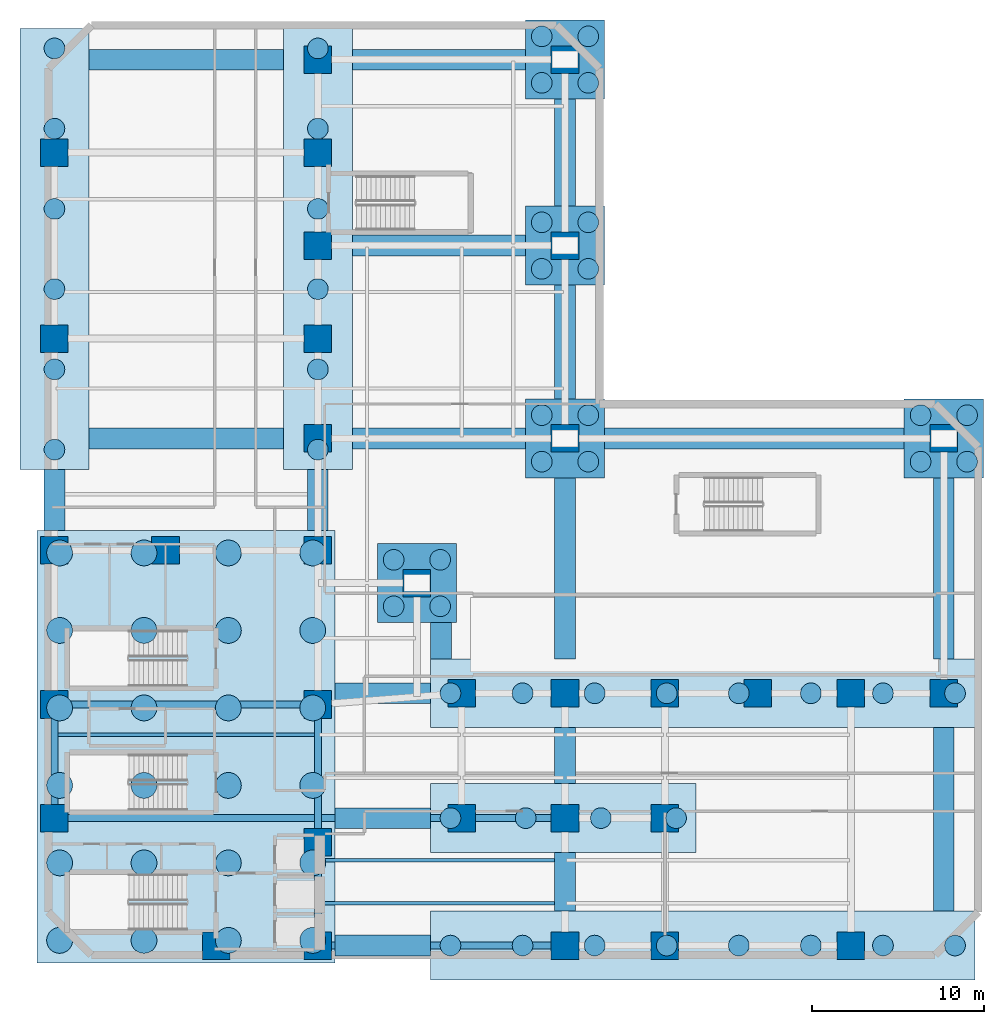
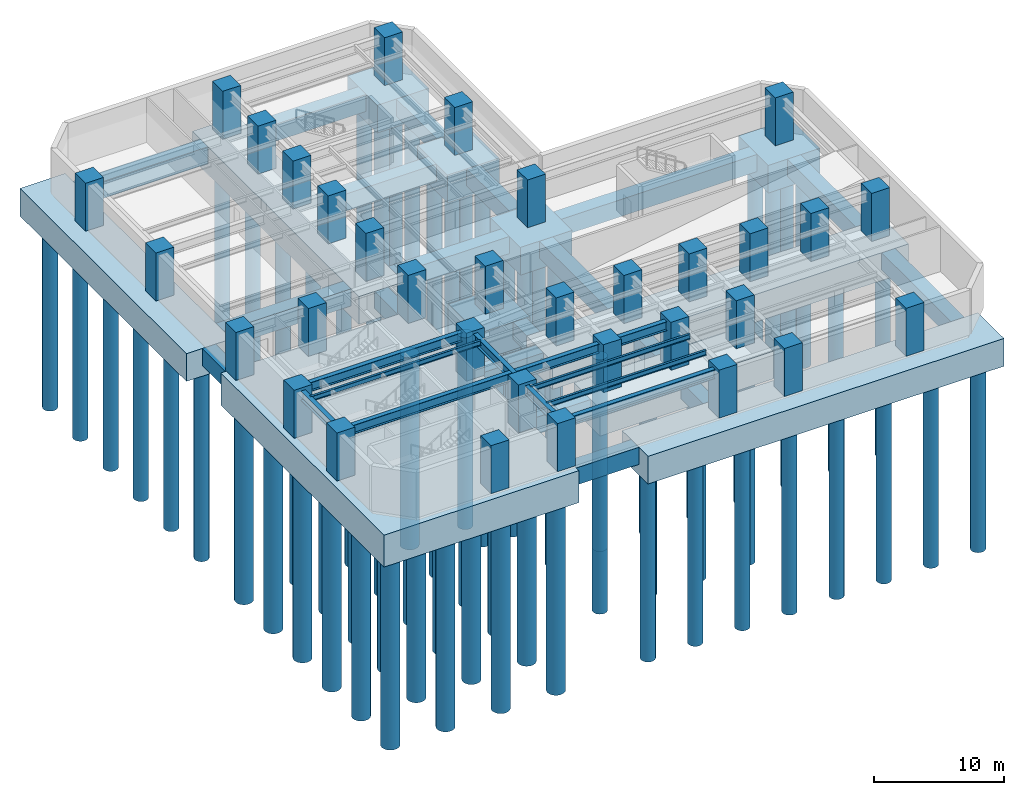
# One storey, part 1 of 10: 76 piles, 33 columns, 30 footings, 10 beams.
"""IFC4 building model written with IfcOpenShell, lengths in metres."""

from ifc_helpers import new_model, si_unit, direction, frame, origin, origin_2d, place, context, subcontext, project, spatial, rectangle, circle, i_section, extrude, material, layer, layer_set, material_profile, profile_set, type_object, element, save


model = new_model("IFC4")

# Units and contexts
model_context = context("Model", 3, precision=1e-05, world=origin(), true_north=direction((0.0, 1.0)))
body_context = subcontext(model_context, "Body", "Model", "MODEL_VIEW")
ifc_project = project(units=[si_unit("LENGTHUNIT", "METRE"), si_unit("AREAUNIT", "SQUARE_METRE"), si_unit("VOLUMEUNIT", "CUBIC_METRE"), si_unit("PLANEANGLEUNIT", "RADIAN"), si_unit("MASSUNIT", "GRAM", prefix="KILO")], contexts=[model_context])

# Site, building, storey
site_placement = place(None, origin())
site = spatial("IfcSite", under=ifc_project, at=site_placement, CompositionType="ELEMENT")
building_placement = place(site_placement, origin())
building = spatial("IfcBuilding", under=site, at=building_placement, Name="Mawjaban Terraces University", CompositionType="ELEMENT")
storey_placement = place(building_placement, frame((0.0, 0.0, -9.0)))
storey = spatial("IfcBuildingStorey", under=building, at=storey_placement, Name="B2", CompositionType="ELEMENT", Elevation=-9.0)

# Piles
ifc_material_1 = material(Name="Concrete C50/60", Category="concrete")
ifc_material_profile_1 = material_profile(ifc_material_1, circle(Radius=0.60009765625, at=origin_2d()), Name="PILE1200")
ifc_profile_set_1 = profile_set([ifc_material_profile_1], Name="Concrete C50/60")
pile_type_1 = type_object("IfcPileType", Name="BoredPile_1200", PredefinedType="BORED", material=ifc_profile_set_1)
for number, where, z_axis, x_axis, name in (
    (1, (45.35009765625, 0.550048828125, -2.89990234375), (0.0, 0.0, -1.0), (1.0, 0.0, 0.0), "Pile Cap ESOUTH Bored Pile 01"),
    (2, (49.535888671875, 0.550048828125, -2.89990234375), (0.0, 0.0, -1.0), (1.0, 0.0, 0.0), "Pile Cap ESOUTH Bored Pile 02"),
    (3, (53.720947265625, 0.550048828125, -2.89990234375), (0.0, 0.0, -1.0), (1.0, 0.0, 0.0), "Pile Cap ESOUTH Bored Pile 03"),
    (4, (57.906982421875, 0.550048828125, -2.89990234375), (0.0, 0.0, -1.0), (1.0, 0.0, 0.0), "Pile Cap ESOUTH Bored Pile 04"),
    (5, (62.093017578125, 0.550048828125, -2.89990234375), (0.0, 0.0, -1.0), (1.0, 0.0, 0.0), "Pile Cap ESOUTH Bored Pile 05"),
    (6, (66.279052734375, 0.550048828125, -2.89990234375), (0.0, 0.0, -1.0), (1.0, 0.0, 0.0), "Pile Cap ESOUTH Bored Pile 06"),
    (7, (70.464111328125, 0.550048828125, -2.89990234375), (0.0, 0.0, -1.0), (1.0, 0.0, 0.0), "Pile Cap ESOUTH Bored Pile 07"),
    (8, (74.64990234375, 0.550048828125, -2.89990234375), (0.0, 0.0, -1.0), (1.0, 0.0, 0.0), "Pile Cap ESOUTH Bored Pile 08"),
    (9, (45.35009765625, 7.949951171875, -2.89990234375), (0.0, 0.0, -1.0), (1.0, 0.0, 0.0), "Pile Cap EMID Bored Pile 01"),
    (10, (49.717041015625, 7.949951171875, -2.89990234375), (0.0, 0.0, -1.0), (1.0, 0.0, 0.0), "Pile Cap EMID Bored Pile 02"),
    (11, (54.0830078125, 7.949951171875, -2.89990234375), (0.0, 0.0, -1.0), (1.0, 0.0, 0.0), "Pile Cap EMID Bored Pile 03"),
    (12, (58.449951171875, 7.949951171875, -2.89990234375), (0.0, 0.0, -1.0), (1.0, 0.0, 0.0), "Pile Cap EMID Bored Pile 04"),
    (13, (45.35009765625, 15.199951171875, -2.89990234375), (0.0, 0.0, -1.0), (1.0, 0.0, 0.0), "Pile Cap ENORTH Bored Pile 01"),
    (14, (49.535888671875, 15.199951171875, -2.89990234375), (0.0, 0.0, -1.0), (1.0, 0.0, 0.0), "Pile Cap ENORTH Bored Pile 02"),
    (15, (53.720947265625, 15.199951171875, -2.89990234375), (0.0, 0.0, -1.0), (1.0, 0.0, 0.0), "Pile Cap ENORTH Bored Pile 03"),
    (16, (57.906982421875, 15.199951171875, -2.89990234375), (0.0, 0.0, -1.0), (1.0, 0.0, 0.0), "Pile Cap ENORTH Bored Pile 04"),
    (17, (62.093017578125, 15.199951171875, -2.89990234375), (0.0, 0.0, -1.0), (1.0, 0.0, 0.0), "Pile Cap ENORTH Bored Pile 05"),
    (18, (66.279052734375, 15.199951171875, -2.89990234375), (0.0, 0.0, -1.0), (1.0, 0.0, 0.0), "Pile Cap ENORTH Bored Pile 06"),
    (19, (70.464111328125, 15.199951171875, -2.89990234375), (0.0, 0.0, -1.0), (1.0, 0.0, 0.0), "Pile Cap ENORTH Bored Pile 07"),
    (20, (74.64990234375, 15.199951171875, -2.89990234375), (0.0, 0.0, -1.0), (1.0, 0.0, 0.0), "Pile Cap ENORTH Bored Pile 08"),
    (21, (22.35009765625, 29.35009765625, -2.89990234375), (0.0, 0.0, -1.0), (1.0, 0.0, 0.0), "Pile Cap NWEST Bored Pile 01"),
    (22, (22.35009765625, 34.010009765625, -2.89990234375), (0.0, 0.0, -1.0), (1.0, 0.0, 0.0), "Pile Cap NWEST Bored Pile 02"),
    (23, (22.35009765625, 38.669921875, -2.89990234375), (0.0, 0.0, -1.0), (1.0, 0.0, 0.0), "Pile Cap NWEST Bored Pile 03"),
    (24, (22.35009765625, 43.330078125, -2.89990234375), (0.0, 0.0, -1.0), (1.0, 0.0, 0.0), "Pile Cap NWEST Bored Pile 04"),
    (25, (22.35009765625, 47.989990234375, -2.89990234375), (0.0, 0.0, -1.0), (1.0, 0.0, 0.0), "Pile Cap NWEST Bored Pile 05"),
    (26, (22.35009765625, 52.64990234375, -2.89990234375), (0.0, 0.0, -1.0), (1.0, 0.0, 0.0), "Pile Cap NWEST Bored Pile 06"),
    (27, (37.64990234375, 29.35009765625, -2.89990234375), (0.0, 0.0, -1.0), (1.0, 0.0, 0.0), "Pile Cap NEAST Bored Pile 01"),
    (28, (37.64990234375, 34.010009765625, -2.89990234375), (0.0, 0.0, -1.0), (1.0, 0.0, 0.0), "Pile Cap NEAST Bored Pile 02"),
    (29, (37.64990234375, 38.669921875, -2.89990234375), (0.0, 0.0, -1.0), (1.0, 0.0, 0.0), "Pile Cap NEAST Bored Pile 03"),
    (30, (37.64990234375, 43.330078125, -2.89990234375), (0.0, 0.0, -1.0), (1.0, 0.0, 0.0), "Pile Cap NEAST Bored Pile 04"),
    (31, (37.64990234375, 47.989990234375, -2.89990234375), (0.0, 0.0, -1.0), (1.0, 0.0, 0.0), "Pile Cap NEAST Bored Pile 05"),
    (32, (37.64990234375, 52.64990234375, -2.89990234375), (0.0, 0.0, -1.0), (1.0, 0.0, 0.0), "Pile Cap NEAST Bored Pile 06"),
    (33, (42.050048828125, 20.25, -2.89990234375), (0.0, 0.0, -1.0), (1.0, 0.0, 0.0), "Mega Cap TS1 Bored Pile 1"),
    (34, (42.050048828125, 22.949951171875, -2.89990234375), (0.0, 0.0, -1.0), (1.0, 0.0, 0.0), "Mega Cap TS1 Bored Pile 2"),
    (35, (44.75, 20.25, -2.89990234375), (0.0, 0.0, -1.0), (1.0, 0.0, 0.0), "Mega Cap TS1 Bored Pile 3"),
    (36, (44.75, 22.949951171875, -2.89990234375), (0.0, 0.0, -1.0), (1.0, 0.0, 0.0), "Mega Cap TS1 Bored Pile 4"),
    (37, (50.64990234375, 28.64990234375, -2.89990234375), (0.0, 0.0, -1.0), (1.0, 0.0, 0.0), "Mega Cap PM1 Bored Pile 1"),
    (38, (50.64990234375, 31.35009765625, -2.89990234375), (0.0, 0.0, -1.0), (1.0, 0.0, 0.0), "Mega Cap PM1 Bored Pile 2"),
    (39, (53.35009765625, 28.64990234375, -2.89990234375), (0.0, 0.0, -1.0), (1.0, 0.0, 0.0), "Mega Cap PM1 Bored Pile 3"),
    (40, (53.35009765625, 31.35009765625, -2.89990234375), (0.0, 0.0, -1.0), (1.0, 0.0, 0.0), "Mega Cap PM1 Bored Pile 4"),
    (41, (72.64990234375, 28.64990234375, -2.89990234375), (0.0, 0.0, -1.0), (1.0, 0.0, 0.0), "Mega Cap PM2 Bored Pile 1"),
    (42, (72.64990234375, 31.35009765625, -2.89990234375), (0.0, 0.0, -1.0), (1.0, 0.0, 0.0), "Mega Cap PM2 Bored Pile 2"),
    (43, (75.35009765625, 28.64990234375, -2.89990234375), (0.0, 0.0, -1.0), (1.0, 0.0, 0.0), "Mega Cap PM2 Bored Pile 3"),
    (44, (75.35009765625, 31.35009765625, -2.89990234375), (0.0, 0.0, -1.0), (1.0, 0.0, 0.0), "Mega Cap PM2 Bored Pile 4"),
    (45, (50.64990234375, 39.85009765625, -2.89990234375), (0.0, 0.0, -1.0), (1.0, 0.0, 0.0), "Mega Cap PM3 Bored Pile 1"),
    (46, (50.64990234375, 42.550048828125, -2.89990234375), (0.0, 0.0, -1.0), (1.0, 0.0, 0.0), "Mega Cap PM3 Bored Pile 2"),
    (47, (53.35009765625, 39.85009765625, -2.89990234375), (0.0, 0.0, -1.0), (1.0, 0.0, 0.0), "Mega Cap PM3 Bored Pile 3"),
    (48, (53.35009765625, 42.550048828125, -2.89990234375), (0.0, 0.0, -1.0), (1.0, 0.0, 0.0), "Mega Cap PM3 Bored Pile 4"),
    (49, (50.64990234375, 50.64990234375, -2.89990234375), (0.0, 0.0, -1.0), (1.0, 0.0, 0.0), "Mega Cap PM4 Bored Pile 1"),
    (50, (50.64990234375, 53.35009765625, -2.89990234375), (0.0, 0.0, -1.0), (1.0, 0.0, 0.0), "Mega Cap PM4 Bored Pile 2"),
    (51, (53.35009765625, 50.64990234375, -2.89990234375), (0.0, 0.0, -1.0), (1.0, 0.0, 0.0), "Mega Cap PM4 Bored Pile 3"),
    (52, (53.35009765625, 53.35009765625, -2.89990234375), (0.0, 0.0, -1.0), (1.0, 0.0, 0.0), "Mega Cap PM4 Bored Pile 4"),
):
    element("IfcPile", number, at=place(storey_placement, frame(where, z_axis=z_axis, x_axis=x_axis)), inside=storey, type_object=pile_type_1, Name=name, PredefinedType="BORED", context=body_context, shape_type="SweptSolid", body=[
        extrude(circle(Radius=0.60009765625, at=origin_2d()), origin(), (0.0, 0.0, 1.0), 18.0),
    ])
ifc_material_profile_2 = material_profile(ifc_material_1, circle(Radius=0.75, at=origin_2d()), Name="PILE1500")
ifc_profile_set_2 = profile_set([ifc_material_profile_2], Name="Concrete C50/60")
pile_type_2 = type_object("IfcPileType", Name="BoredPile_1500", PredefinedType="BORED", material=ifc_profile_set_2)
for number, where, z_axis, x_axis, name in (
    (53, (22.64990234375, 0.85009765625, -3.300048828125), (0.0, 0.0, -1.0), (1.0, 0.0, 0.0), "Pile Cap CORE Bored Pile 01"),
    (54, (22.64990234375, 5.35009765625, -3.300048828125), (0.0, 0.0, -1.0), (1.0, 0.0, 0.0), "Pile Cap CORE Bored Pile 02"),
    (55, (22.64990234375, 9.85009765625, -3.300048828125), (0.0, 0.0, -1.0), (1.0, 0.0, 0.0), "Pile Cap CORE Bored Pile 03"),
    (56, (22.64990234375, 14.35009765625, -3.300048828125), (0.0, 0.0, -1.0), (1.0, 0.0, 0.0), "Pile Cap CORE Bored Pile 04"),
    (57, (22.64990234375, 18.85009765625, -3.300048828125), (0.0, 0.0, -1.0), (1.0, 0.0, 0.0), "Pile Cap CORE Bored Pile 05"),
    (58, (22.64990234375, 23.35009765625, -3.300048828125), (0.0, 0.0, -1.0), (1.0, 0.0, 0.0), "Pile Cap CORE Bored Pile 06"),
    (59, (27.550048828125, 0.85009765625, -3.300048828125), (0.0, 0.0, -1.0), (1.0, 0.0, 0.0), "Pile Cap CORE Bored Pile 07"),
    (60, (27.550048828125, 5.35009765625, -3.300048828125), (0.0, 0.0, -1.0), (1.0, 0.0, 0.0), "Pile Cap CORE Bored Pile 08"),
    (61, (27.550048828125, 9.85009765625, -3.300048828125), (0.0, 0.0, -1.0), (1.0, 0.0, 0.0), "Pile Cap CORE Bored Pile 09"),
    (62, (27.550048828125, 14.35009765625, -3.300048828125), (0.0, 0.0, -1.0), (1.0, 0.0, 0.0), "Pile Cap CORE Bored Pile 10"),
    (63, (27.550048828125, 18.85009765625, -3.300048828125), (0.0, 0.0, -1.0), (1.0, 0.0, 0.0), "Pile Cap CORE Bored Pile 11"),
    (64, (27.550048828125, 23.35009765625, -3.300048828125), (0.0, 0.0, -1.0), (1.0, 0.0, 0.0), "Pile Cap CORE Bored Pile 12"),
    (65, (32.449951171875, 0.85009765625, -3.300048828125), (0.0, 0.0, -1.0), (1.0, 0.0, 0.0), "Pile Cap CORE Bored Pile 13"),
    (66, (32.449951171875, 5.35009765625, -3.300048828125), (0.0, 0.0, -1.0), (1.0, 0.0, 0.0), "Pile Cap CORE Bored Pile 14"),
    (67, (32.449951171875, 9.85009765625, -3.300048828125), (0.0, 0.0, -1.0), (1.0, 0.0, 0.0), "Pile Cap CORE Bored Pile 15"),
    (68, (32.449951171875, 14.35009765625, -3.300048828125), (0.0, 0.0, -1.0), (1.0, 0.0, 0.0), "Pile Cap CORE Bored Pile 16"),
    (69, (32.449951171875, 18.85009765625, -3.300048828125), (0.0, 0.0, -1.0), (1.0, 0.0, 0.0), "Pile Cap CORE Bored Pile 17"),
    (70, (32.449951171875, 23.35009765625, -3.300048828125), (0.0, 0.0, -1.0), (1.0, 0.0, 0.0), "Pile Cap CORE Bored Pile 18"),
    (71, (37.35009765625, 0.85009765625, -3.300048828125), (0.0, 0.0, -1.0), (1.0, 0.0, 0.0), "Pile Cap CORE Bored Pile 19"),
    (72, (37.35009765625, 5.35009765625, -3.300048828125), (0.0, 0.0, -1.0), (1.0, 0.0, 0.0), "Pile Cap CORE Bored Pile 20"),
    (73, (37.35009765625, 9.85009765625, -3.300048828125), (0.0, 0.0, -1.0), (1.0, 0.0, 0.0), "Pile Cap CORE Bored Pile 21"),
    (74, (37.35009765625, 14.35009765625, -3.300048828125), (0.0, 0.0, -1.0), (1.0, 0.0, 0.0), "Pile Cap CORE Bored Pile 22"),
    (75, (37.35009765625, 18.85009765625, -3.300048828125), (0.0, 0.0, -1.0), (1.0, 0.0, 0.0), "Pile Cap CORE Bored Pile 23"),
    (76, (37.35009765625, 23.35009765625, -3.300048828125), (0.0, 0.0, -1.0), (1.0, 0.0, 0.0), "Pile Cap CORE Bored Pile 24"),
):
    element("IfcPile", number, at=place(storey_placement, frame(where, z_axis=z_axis, x_axis=x_axis)), inside=storey, type_object=pile_type_2, Name=name, PredefinedType="BORED", context=body_context, shape_type="SweptSolid", body=[
        extrude(circle(Radius=0.75, at=origin_2d()), origin(), (0.0, 0.0, 1.0), 18.0),
    ])

# Footings
ifc_layer_1 = layer(ifc_material_1, 3.0)
ifc_layer_set_1 = layer_set([ifc_layer_1], Name="Concrete C50/60")
footing_type_1 = type_object("IfcFootingType", Name="CorePileCap_3000", PredefinedType="PILE_CAP", material=ifc_layer_set_1)
footing_1_placement = place(storey_placement, frame((30.0, 12.10009765625, -3.39990234375), z_axis=(0.0, 0.0, 1.0), x_axis=(1.0, 0.0, 0.0)))
element("IfcFooting", 77, at=footing_1_placement, inside=storey, type_object=footing_type_1, Name="Pile Cap CORE", PredefinedType="PILE_CAP", context=body_context, shape_type="SweptSolid", body=[
    extrude(rectangle(XDim=17.300048828125, YDim=25.10009765625, at=origin_2d()), origin(), (0.0, 0.0, 1.0), 3.0),
])
ifc_layer_2 = layer(ifc_material_1, 2.60009765625)
ifc_layer_set_2 = layer_set([ifc_layer_2], Name="Concrete C50/60")
footing_type_2 = type_object("IfcFootingType", Name="MegaPileCap_2600", PredefinedType="PILE_CAP", material=ifc_layer_set_2)
for number, where, z_axis, x_axis, name in (
    (78, (43.39990234375, 21.60009765625, -3.0), (0.0, 0.0, 1.0), (1.0, 0.0, 0.0), "Mega Pile Cap TS1"),
    (79, (52.0, 30.0, -3.0), (0.0, 0.0, 1.0), (1.0, 0.0, 0.0), "Mega Pile Cap PM1"),
    (80, (74.0, 30.0, -3.0), (0.0, 0.0, 1.0), (1.0, 0.0, 0.0), "Mega Pile Cap PM2"),
    (81, (52.0, 41.199951171875, -3.0), (0.0, 0.0, 1.0), (1.0, 0.0, 0.0), "Mega Pile Cap PM3"),
    (82, (52.0, 52.0, -3.0), (0.0, 0.0, 1.0), (1.0, 0.0, 0.0), "Mega Pile Cap PM4"),
):
    element("IfcFooting", number, at=place(storey_placement, frame(where, z_axis=z_axis, x_axis=x_axis)), inside=storey, type_object=footing_type_2, Name=name, PredefinedType="PILE_CAP", context=body_context, shape_type="SweptSolid", body=[
        extrude(rectangle(XDim=4.60009765625, YDim=4.60009765625, at=origin_2d()), origin(), (0.0, 0.0, 1.0), 2.60009765625),
    ])
ifc_layer_3 = layer(ifc_material_1, 2.60009765625)
ifc_layer_set_3 = layer_set([ifc_layer_3], Name="Concrete C50/60")
footing_type_3 = type_object("IfcFootingType", Name="NorthSpinePileCap_2600", PredefinedType="PILE_CAP", material=ifc_layer_set_3)
for number, where, z_axis, x_axis, name in (
    (83, (22.35009765625, 41.0, -3.0), (0.0, 0.0, 1.0), (1.0, 0.0, 0.0), "Pile Cap NWEST"),
    (84, (37.64990234375, 41.0, -3.0), (0.0, 0.0, 1.0), (1.0, 0.0, 0.0), "Pile Cap NEAST"),
):
    element("IfcFooting", number, at=place(storey_placement, frame(where, z_axis=z_axis, x_axis=x_axis)), inside=storey, type_object=footing_type_3, Name=name, PredefinedType="PILE_CAP", context=body_context, shape_type="SweptSolid", body=[
        extrude(rectangle(XDim=4.0, YDim=25.60009765625, at=origin_2d()), origin(), (0.0, 0.0, 1.0), 2.60009765625),
    ])
ifc_layer_4 = layer(ifc_material_1, 1.60009765625)
ifc_layer_set_4 = layer_set([ifc_layer_4], Name="Concrete C50/60")
footing_type_4 = type_object("IfcFootingType", Name="TieBeam_1200x1600", PredefinedType="FOOTING_BEAM", material=ifc_layer_set_4)
for number, where, z_axis, x_axis, name in (
    (85, (41.425048828125, 0.550048828125, -2.0), (0.0, 0.0, 1.0), (1.0, 0.0, 0.0), "Foundation Tie Beam TB-X1"),
    (86, (41.425048828125, 7.949951171875, -2.0), (0.0, 0.0, 1.0), (1.0, 0.0, 0.0), "Foundation Tie Beam TB-X2"),
    (87, (41.425048828125, 15.199951171875, -2.0), (0.0, 0.0, 1.0), (1.0, 0.0, 0.0), "Foundation Tie Beam TB-X3"),
):
    element("IfcFooting", number, at=place(storey_placement, frame(where, z_axis=z_axis, x_axis=x_axis)), inside=storey, type_object=footing_type_4, Name=name, PredefinedType="FOOTING_BEAM", context=body_context, shape_type="SweptSolid", body=[
        extrude(rectangle(XDim=5.550048828125, YDim=1.199951171875, at=origin_2d()), origin(), (0.0, 0.0, 1.0), 1.60009765625),
    ])
footing_2_placement = place(storey_placement, frame((30.0, 30.0, -2.0), z_axis=(0.0, 0.0, 1.0), x_axis=(1.0, 0.0, 0.0)))
element("IfcFooting", 88, at=footing_2_placement, inside=storey, type_object=footing_type_4, Name="Foundation Tie Beam TB-X4", PredefinedType="FOOTING_BEAM", context=body_context, shape_type="SweptSolid", body=[
    extrude(rectangle(XDim=11.300048828125, YDim=1.199951171875, at=origin_2d()), origin(), (0.0, 0.0, 1.0), 1.60009765625),
])
footing_3_placement = place(storey_placement, frame((44.675048828125, 30.0, -2.0), z_axis=(0.0, 0.0, 1.0), x_axis=(1.0, 0.0, 0.0)))
element("IfcFooting", 89, at=footing_3_placement, inside=storey, type_object=footing_type_4, Name="Foundation Tie Beam TB-X5", PredefinedType="FOOTING_BEAM", context=body_context, shape_type="SweptSolid", body=[
    extrude(rectangle(XDim=10.050048828125, YDim=1.199951171875, at=origin_2d()), origin(), (0.0, 0.0, 1.0), 1.60009765625),
])
footing_4_placement = place(storey_placement, frame((63.0, 30.0, -2.0), z_axis=(0.0, 0.0, 1.0), x_axis=(1.0, 0.0, 0.0)))
element("IfcFooting", 90, at=footing_4_placement, inside=storey, type_object=footing_type_4, Name="Foundation Tie Beam TB-X6", PredefinedType="FOOTING_BEAM", context=body_context, shape_type="SweptSolid", body=[
    extrude(rectangle(XDim=17.39990234375, YDim=1.199951171875, at=origin_2d()), origin(), (0.0, 0.0, 1.0), 1.60009765625),
])
footing_5_placement = place(storey_placement, frame((44.675048828125, 41.199951171875, -2.0), z_axis=(0.0, 0.0, 1.0), x_axis=(1.0, 0.0, 0.0)))
element("IfcFooting", 91, at=footing_5_placement, inside=storey, type_object=footing_type_4, Name="Foundation Tie Beam TB-X7", PredefinedType="FOOTING_BEAM", context=body_context, shape_type="SweptSolid", body=[
    extrude(rectangle(XDim=10.050048828125, YDim=1.199951171875, at=origin_2d()), origin(), (0.0, 0.0, 1.0), 1.60009765625),
])
footing_6_placement = place(storey_placement, frame((30.0, 52.0, -2.0), z_axis=(0.0, 0.0, 1.0), x_axis=(1.0, 0.0, 0.0)))
element("IfcFooting", 92, at=footing_6_placement, inside=storey, type_object=footing_type_4, Name="Foundation Tie Beam TB-X8", PredefinedType="FOOTING_BEAM", context=body_context, shape_type="SweptSolid", body=[
    extrude(rectangle(XDim=11.300048828125, YDim=1.199951171875, at=origin_2d()), origin(), (0.0, 0.0, 1.0), 1.60009765625),
])
footing_7_placement = place(storey_placement, frame((44.675048828125, 52.0, -2.0), z_axis=(0.0, 0.0, 1.0), x_axis=(1.0, 0.0, 0.0)))
element("IfcFooting", 93, at=footing_7_placement, inside=storey, type_object=footing_type_4, Name="Foundation Tie Beam TB-X9", PredefinedType="FOOTING_BEAM", context=body_context, shape_type="SweptSolid", body=[
    extrude(rectangle(XDim=10.050048828125, YDim=1.199951171875, at=origin_2d()), origin(), (0.0, 0.0, 1.0), 1.60009765625),
])
footing_8_placement = place(storey_placement, frame((52.0, 4.25, -2.0), z_axis=(0.0, 0.0, 1.0), x_axis=(1.0, 0.0, 0.0)))
element("IfcFooting", 94, at=footing_8_placement, inside=storey, type_object=footing_type_4, Name="Foundation Tie Beam TB-Y1", PredefinedType="FOOTING_BEAM", context=body_context, shape_type="SweptSolid", body=[
    extrude(rectangle(XDim=1.199951171875, YDim=3.39990234375, at=origin_2d()), origin(), (0.0, 0.0, 1.0), 1.60009765625),
])
footing_9_placement = place(storey_placement, frame((52.0, 11.574951171875, -2.0), z_axis=(0.0, 0.0, 1.0), x_axis=(1.0, 0.0, 0.0)))
element("IfcFooting", 95, at=footing_9_placement, inside=storey, type_object=footing_type_4, Name="Foundation Tie Beam TB-Y2", PredefinedType="FOOTING_BEAM", context=body_context, shape_type="SweptSolid", body=[
    extrude(rectangle(XDim=1.199951171875, YDim=3.25, at=origin_2d()), origin(), (0.0, 0.0, 1.0), 1.60009765625),
])
footing_10_placement = place(storey_placement, frame((52.0, 22.449951171875, -2.0), z_axis=(0.0, 0.0, 1.0), x_axis=(1.0, 0.0, 0.0)))
element("IfcFooting", 96, at=footing_10_placement, inside=storey, type_object=footing_type_4, Name="Foundation Tie Beam TB-Y3", PredefinedType="FOOTING_BEAM", context=body_context, shape_type="SweptSolid", body=[
    extrude(rectangle(XDim=1.199951171875, YDim=10.5, at=origin_2d()), origin(), (0.0, 0.0, 1.0), 1.60009765625),
])
footing_11_placement = place(storey_placement, frame((52.0, 35.60009765625, -2.0), z_axis=(0.0, 0.0, 1.0), x_axis=(1.0, 0.0, 0.0)))
element("IfcFooting", 97, at=footing_11_placement, inside=storey, type_object=footing_type_4, Name="Foundation Tie Beam TB-Y4", PredefinedType="FOOTING_BEAM", context=body_context, shape_type="SweptSolid", body=[
    extrude(rectangle(XDim=1.199951171875, YDim=6.60009765625, at=origin_2d()), origin(), (0.0, 0.0, 1.0), 1.60009765625),
])
footing_12_placement = place(storey_placement, frame((52.0, 46.60009765625, -2.0), z_axis=(0.0, 0.0, 1.0), x_axis=(1.0, 0.0, 0.0)))
element("IfcFooting", 98, at=footing_12_placement, inside=storey, type_object=footing_type_4, Name="Foundation Tie Beam TB-Y5", PredefinedType="FOOTING_BEAM", context=body_context, shape_type="SweptSolid", body=[
    extrude(rectangle(XDim=1.199951171875, YDim=6.199951171875, at=origin_2d()), origin(), (0.0, 0.0, 1.0), 1.60009765625),
])
footing_13_placement = place(storey_placement, frame((74.0, 7.875, -2.0), z_axis=(0.0, 0.0, 1.0), x_axis=(1.0, 0.0, 0.0)))
element("IfcFooting", 99, at=footing_13_placement, inside=storey, type_object=footing_type_4, Name="Foundation Tie Beam TB-Y6", PredefinedType="FOOTING_BEAM", context=body_context, shape_type="SweptSolid", body=[
    extrude(rectangle(XDim=1.199951171875, YDim=10.64990234375, at=origin_2d()), origin(), (0.0, 0.0, 1.0), 1.60009765625),
])
footing_14_placement = place(storey_placement, frame((74.0, 22.449951171875, -2.0), z_axis=(0.0, 0.0, 1.0), x_axis=(1.0, 0.0, 0.0)))
element("IfcFooting", 100, at=footing_14_placement, inside=storey, type_object=footing_type_4, Name="Foundation Tie Beam TB-Y7", PredefinedType="FOOTING_BEAM", context=body_context, shape_type="SweptSolid", body=[
    extrude(rectangle(XDim=1.199951171875, YDim=10.5, at=origin_2d()), origin(), (0.0, 0.0, 1.0), 1.60009765625),
])
for number, where, z_axis, x_axis, name in (
    (101, (22.35009765625, 26.425048828125, -2.0), (0.0, 0.0, 1.0), (1.0, 0.0, 0.0), "Foundation Tie Beam TB-Y8"),
    (102, (37.64990234375, 26.425048828125, -2.0), (0.0, 0.0, 1.0), (1.0, 0.0, 0.0), "Foundation Tie Beam TB-Y9"),
):
    element("IfcFooting", number, at=place(storey_placement, frame(where, z_axis=z_axis, x_axis=x_axis)), inside=storey, type_object=footing_type_4, Name=name, PredefinedType="FOOTING_BEAM", context=body_context, shape_type="SweptSolid", body=[
        extrude(rectangle(XDim=1.199951171875, YDim=3.550048828125, at=origin_2d()), origin(), (0.0, 0.0, 1.0), 1.60009765625),
    ])
footing_15_placement = place(storey_placement, frame((44.800048828125, 18.25, -2.0), z_axis=(0.0, 0.0, 1.0), x_axis=(1.0, 0.0, 0.0)))
element("IfcFooting", 103, at=footing_15_placement, inside=storey, type_object=footing_type_4, Name="Foundation Tie Beam TB-Y10", PredefinedType="FOOTING_BEAM", context=body_context, shape_type="SweptSolid", body=[
    extrude(rectangle(XDim=1.199951171875, YDim=2.10009765625, at=origin_2d()), origin(), (0.0, 0.0, 1.0), 1.60009765625),
])
ifc_layer_5 = layer(ifc_material_1, 2.60009765625)
ifc_layer_set_5 = layer_set([ifc_layer_5], Name="Concrete C50/60")
footing_type_5 = type_object("IfcFootingType", Name="WingSpinePileCap_2600", PredefinedType="PILE_CAP", material=ifc_layer_set_5)
footing_16_placement = place(storey_placement, frame((60.0, 0.550048828125, -3.0), z_axis=(0.0, 0.0, 1.0), x_axis=(1.0, 0.0, 0.0)))
element("IfcFooting", 104, at=footing_16_placement, inside=storey, type_object=footing_type_5, Name="Pile Cap ESOUTH", PredefinedType="PILE_CAP", context=body_context, shape_type="SweptSolid", body=[
    extrude(rectangle(XDim=31.60009765625, YDim=4.0, at=origin_2d()), origin(), (0.0, 0.0, 1.0), 2.60009765625),
])
footing_17_placement = place(storey_placement, frame((51.89990234375, 7.949951171875, -3.0), z_axis=(0.0, 0.0, 1.0), x_axis=(1.0, 0.0, 0.0)))
element("IfcFooting", 105, at=footing_17_placement, inside=storey, type_object=footing_type_5, Name="Pile Cap EMID", PredefinedType="PILE_CAP", context=body_context, shape_type="SweptSolid", body=[
    extrude(rectangle(XDim=15.39990234375, YDim=4.0, at=origin_2d()), origin(), (0.0, 0.0, 1.0), 2.60009765625),
])
footing_18_placement = place(storey_placement, frame((60.0, 15.199951171875, -3.0), z_axis=(0.0, 0.0, 1.0), x_axis=(1.0, 0.0, 0.0)))
element("IfcFooting", 106, at=footing_18_placement, inside=storey, type_object=footing_type_5, Name="Pile Cap ENORTH", PredefinedType="PILE_CAP", context=body_context, shape_type="SweptSolid", body=[
    extrude(rectangle(XDim=31.60009765625, YDim=4.0, at=origin_2d()), origin(), (0.0, 0.0, 1.0), 2.60009765625),
])

# Columns
ifc_material_2 = material(Name="Concrete C70/85", Category="concrete")
ifc_material_profile_3 = material_profile(ifc_material_2, rectangle(XDim=1.60009765625, YDim=1.60009765625, at=origin_2d()), Name="RC1600X1600")
ifc_profile_set_3 = profile_set([ifc_material_profile_3], Name="Concrete C70/85")
column_type = type_object("IfcColumnType", Name="Col_RC1600X1600", PredefinedType="COLUMN", material=ifc_profile_set_3)
for number, where, z_axis, x_axis, name in (
    (107, (31.75, 0.550048828125, 0.0), (0.0, 0.0, 1.0), (1.0, 0.0, 0.0), "B2 Column CC2"),
    (108, (37.64990234375, 0.550048828125, 0.0), (0.0, 0.0, 1.0), (1.0, 0.0, 0.0), "B2 Column CC3"),
    (109, (22.35009765625, 7.949951171875, 0.0), (0.0, 0.0, 1.0), (1.0, 0.0, 0.0), "B2 Column CC4"),
    (110, (37.64990234375, 6.550048828125, 0.0), (0.0, 0.0, 1.0), (1.0, 0.0, 0.0), "B2 Column CC5"),
    (111, (22.35009765625, 14.550048828125, 0.0), (0.0, 0.0, 1.0), (1.0, 0.0, 0.0), "B2 Column CC6"),
    (112, (37.64990234375, 14.550048828125, 0.0), (0.0, 0.0, 1.0), (1.0, 0.0, 0.0), "B2 Column CC7"),
    (113, (22.35009765625, 23.5, 0.0), (0.0, 0.0, 1.0), (1.0, 0.0, 0.0), "B2 Column CC8"),
    (114, (28.800048828125, 23.5, 0.0), (0.0, 0.0, 1.0), (1.0, 0.0, 0.0), "B2 Column CC9"),
    (115, (37.64990234375, 23.5, 0.0), (0.0, 0.0, 1.0), (1.0, 0.0, 0.0), "B2 Column CC10"),
    (116, (46.0, 7.949951171875, 0.0), (0.0, 0.0, 1.0), (1.0, 0.0, 0.0), "B2 Column TE-460-080"),
    (117, (46.0, 15.199951171875, 0.0), (0.0, 0.0, 1.0), (1.0, 0.0, 0.0), "B2 Column TE-460-152"),
    (118, (52.0, 0.550048828125, 0.0), (0.0, 0.0, 1.0), (1.0, 0.0, 0.0), "B2 Column TE-520-005"),
    (119, (52.0, 7.949951171875, 0.0), (0.0, 0.0, 1.0), (1.0, 0.0, 0.0), "B2 Column TE-520-080"),
    (120, (52.0, 15.199951171875, 0.0), (0.0, 0.0, 1.0), (1.0, 0.0, 0.0), "B2 Column TE-520-152"),
    (121, (57.800048828125, 0.550048828125, 0.0), (0.0, 0.0, 1.0), (1.0, 0.0, 0.0), "B2 Column TE-578-005"),
    (122, (57.800048828125, 7.949951171875, 0.0), (0.0, 0.0, 1.0), (1.0, 0.0, 0.0), "B2 Column TE-578-080"),
    (123, (57.800048828125, 15.199951171875, 0.0), (0.0, 0.0, 1.0), (1.0, 0.0, 0.0), "B2 Column TE-578-152"),
    (124, (63.199951171875, 15.199951171875, 0.0), (0.0, 0.0, 1.0), (1.0, 0.0, 0.0), "B2 Column TE-632-152"),
    (125, (68.60009765625, 0.550048828125, 0.0), (0.0, 0.0, 1.0), (1.0, 0.0, 0.0), "B2 Column TE-686-005"),
    (126, (68.60009765625, 15.199951171875, 0.0), (0.0, 0.0, 1.0), (1.0, 0.0, 0.0), "B2 Column TE-686-152"),
    (127, (74.0, 15.199951171875, 0.0), (0.0, 0.0, 1.0), (1.0, 0.0, 0.0), "B2 Column TE-740-152"),
    (128, (37.64990234375, 30.0, 0.0), (0.0, 0.0, 1.0), (1.0, 0.0, 0.0), "B2 Column TN-376-300"),
    (129, (22.35009765625, 35.800048828125, 0.0), (0.0, 0.0, 1.0), (1.0, 0.0, 0.0), "B2 Column TN-223-358"),
    (130, (37.64990234375, 35.800048828125, 0.0), (0.0, 0.0, 1.0), (1.0, 0.0, 0.0), "B2 Column TN-376-358"),
    (131, (37.64990234375, 41.199951171875, 0.0), (0.0, 0.0, 1.0), (1.0, 0.0, 0.0), "B2 Column TN-376-412"),
    (132, (22.35009765625, 46.60009765625, 0.0), (0.0, 0.0, 1.0), (1.0, 0.0, 0.0), "B2 Column TN-223-466"),
    (133, (37.64990234375, 46.60009765625, 0.0), (0.0, 0.0, 1.0), (1.0, 0.0, 0.0), "B2 Column TN-376-466"),
    (134, (37.64990234375, 52.0, 0.0), (0.0, 0.0, 1.0), (1.0, 0.0, 0.0), "B2 Column TN-376-520"),
    (135, (43.39990234375, 21.60009765625, 0.0), (0.0, 0.0, 1.0), (1.0, 0.0, 0.0), "B2 Column TS-434-216"),
    (136, (52.0, 30.0, 0.0), (0.0, 0.0, 1.0), (1.0, 0.0, 0.0), "B2 Column PM-520-300"),
    (137, (74.0, 30.0, 0.0), (0.0, 0.0, 1.0), (1.0, 0.0, 0.0), "B2 Column PM-740-300"),
    (138, (52.0, 41.199951171875, 0.0), (0.0, 0.0, 1.0), (1.0, 0.0, 0.0), "B2 Column PM-520-412"),
    (139, (52.0, 52.0, 0.0), (0.0, 0.0, 1.0), (1.0, 0.0, 0.0), "B2 Column PM-520-520"),
):
    element("IfcColumn", number, at=place(storey_placement, frame(where, z_axis=z_axis, x_axis=x_axis)), inside=storey, type_object=column_type, Name=name, PredefinedType="COLUMN", context=body_context, shape_type="SweptSolid", body=[
        extrude(rectangle(XDim=1.60009765625, YDim=1.60009765625, at=origin_2d()), origin(), (0.0, 0.0, 1.0), 4.5),
    ])

# Beams
ifc_material_3 = material(Name="Steel ASTM A572 Grade 50", Category="steel")
ifc_material_profile_4 = material_profile(ifc_material_3, i_section(OverallWidth=0.39990234375, OverallDepth=0.85498046875, WebThickness=0.018310546875, FlangeThickness=0.029296875, at=origin_2d()), Name="W840X299")
ifc_profile_set_4 = profile_set([ifc_material_profile_4], Name="Steel ASTM A572 Grade 50")
beam_type_1 = type_object("IfcBeamType", Name="Beam_B_W840X299", PredefinedType="BEAM", material=ifc_profile_set_4)
beam_1_placement = place(storey_placement, frame((38.449951171875, 0.550048828125, 3.7919921875), z_axis=(1.0, 0.0, 0.0), x_axis=(0.0, 1.0, 0.0)))
element("IfcBeam", 140, at=beam_1_placement, inside=storey, type_object=beam_type_1, Name="B2 Beam BM-B2-EW-01", PredefinedType="BEAM", context=body_context, shape_type="SweptSolid", body=[
    extrude(i_section(OverallWidth=0.39990234375, OverallDepth=0.85498046875, WebThickness=0.018310546875, FlangeThickness=0.029296875, at=origin_2d()), origin(), (0.0, 0.0, 1.0), 12.75),
])
beam_2_placement = place(storey_placement, frame((23.14990234375, 7.949951171875, 3.7919921875), z_axis=(1.0, 0.0, 0.0), x_axis=(0.0, 1.0, 0.0)))
element("IfcBeam", 141, at=beam_2_placement, inside=storey, type_object=beam_type_1, Name="B2 Beam BM-B2-EW-04", PredefinedType="BEAM", context=body_context, shape_type="SweptSolid", body=[
    extrude(i_section(OverallWidth=0.39990234375, OverallDepth=0.85498046875, WebThickness=0.018310546875, FlangeThickness=0.029296875, at=origin_2d()), origin(), (0.0, 0.0, 1.0), 22.050048828125),
])
beam_3_placement = place(storey_placement, frame((46.800048828125, 7.949951171875, 3.7919921875), z_axis=(1.0, 0.0, 0.0), x_axis=(0.0, 1.0, 0.0)))
element("IfcBeam", 142, at=beam_3_placement, inside=storey, type_object=beam_type_1, Name="B2 Beam BM-B2-EW-05", PredefinedType="BEAM", context=body_context, shape_type="SweptSolid", body=[
    extrude(i_section(OverallWidth=0.39990234375, OverallDepth=0.85498046875, WebThickness=0.018310546875, FlangeThickness=0.029296875, at=origin_2d()), origin(), (0.0, 0.0, 1.0), 4.39990234375),
])
beam_4_placement = place(storey_placement, frame((23.14990234375, 14.550048828125, 3.7919921875), z_axis=(1.0, 0.0, 0.0), x_axis=(0.0, 1.0, 0.0)))
element("IfcBeam", 143, at=beam_4_placement, inside=storey, type_object=beam_type_1, Name="B2 Beam BM-B2-EW-07", PredefinedType="BEAM", context=body_context, shape_type="SweptSolid", body=[
    extrude(i_section(OverallWidth=0.39990234375, OverallDepth=0.85498046875, WebThickness=0.018310546875, FlangeThickness=0.029296875, at=origin_2d()), origin(), (0.0, 0.0, 1.0), 13.7001953125),
])
beam_5_placement = place(storey_placement, frame((22.35009765625, 8.75, 3.7919921875), z_axis=(0.0, 1.0, 0.0), x_axis=(-1.0, 0.0, 0.0)))
element("IfcBeam", 144, at=beam_5_placement, inside=storey, type_object=beam_type_1, Name="B2 Beam BM-B2-NS-01", PredefinedType="BEAM", context=body_context, shape_type="SweptSolid", body=[
    extrude(i_section(OverallWidth=0.39990234375, OverallDepth=0.85498046875, WebThickness=0.018310546875, FlangeThickness=0.029296875, at=origin_2d()), origin(), (0.0, 0.0, 1.0), 5.0),
])
beam_6_placement = place(storey_placement, frame((37.64990234375, 1.35009765625, 3.7919921875), z_axis=(0.0, 1.0, 0.0), x_axis=(-1.0, 0.0, 0.0)))
element("IfcBeam", 145, at=beam_6_placement, inside=storey, type_object=beam_type_1, Name="B2 Beam BM-B2-NS-05", PredefinedType="BEAM", context=body_context, shape_type="SweptSolid", body=[
    extrude(i_section(OverallWidth=0.39990234375, OverallDepth=0.85498046875, WebThickness=0.018310546875, FlangeThickness=0.029296875, at=origin_2d()), origin(), (0.0, 0.0, 1.0), 4.39990234375),
])
beam_7_placement = place(storey_placement, frame((37.64990234375, 7.35009765625, 3.7919921875), z_axis=(0.0, 1.0, 0.0), x_axis=(-1.0, 0.0, 0.0)))
element("IfcBeam", 146, at=beam_7_placement, inside=storey, type_object=beam_type_1, Name="B2 Beam BM-B2-NS-06", PredefinedType="BEAM", context=body_context, shape_type="SweptSolid", body=[
    extrude(i_section(OverallWidth=0.39990234375, OverallDepth=0.85498046875, WebThickness=0.018310546875, FlangeThickness=0.029296875, at=origin_2d()), origin(), (0.0, 0.0, 1.0), 6.39990234375),
])
ifc_material_profile_5 = material_profile(ifc_material_3, i_section(OverallWidth=0.194091796875, OverallDepth=0.468994140625, WebThickness=0.011474609375, FlangeThickness=0.0205078125, at=origin_2d()), Name="W460X106")
ifc_profile_set_5 = profile_set([ifc_material_profile_5], Name="Steel ASTM A572 Grade 50")
beam_type_2 = type_object("IfcBeamType", Name="Beam_J_W460X106", PredefinedType="JOIST", material=ifc_profile_set_5)
for number, where, z_axis, x_axis, name in (
    (147, (37.72998046875, 3.0, 3.986083984375), (1.0, 0.0, 0.0), (0.0, 1.0, 0.0), "B2 Composite Joist JST-B2-01"),
    (148, (37.72998046875, 5.5, 3.986083984375), (1.0, 0.0, 0.0), (0.0, 1.0, 0.0), "B2 Composite Joist JST-B2-04"),
):
    element("IfcBeam", number, at=place(storey_placement, frame(where, z_axis=z_axis, x_axis=x_axis)), inside=storey, type_object=beam_type_2, Name=name, PredefinedType="JOIST", context=body_context, shape_type="SweptSolid", body=[
        extrude(i_section(OverallWidth=0.194091796875, OverallDepth=0.468994140625, WebThickness=0.011474609375, FlangeThickness=0.0205078125, at=origin_2d()), origin(), (0.0, 0.0, 1.0), 14.18994140625),
    ])
beam_8_placement = place(storey_placement, frame((22.429931640625, 12.800048828125, 3.986083984375), z_axis=(1.0, 0.0, 0.0), x_axis=(0.0, 1.0, 0.0)))
element("IfcBeam", 149, at=beam_8_placement, inside=storey, type_object=beam_type_2, Name="B2 Composite Joist JST-B2-11", PredefinedType="JOIST", context=body_context, shape_type="SweptSolid", body=[
    extrude(i_section(OverallWidth=0.194091796875, OverallDepth=0.468994140625, WebThickness=0.011474609375, FlangeThickness=0.0205078125, at=origin_2d()), origin(), (0.0, 0.0, 1.0), 15.14013671875),
])

save(model, "model.ifc")
